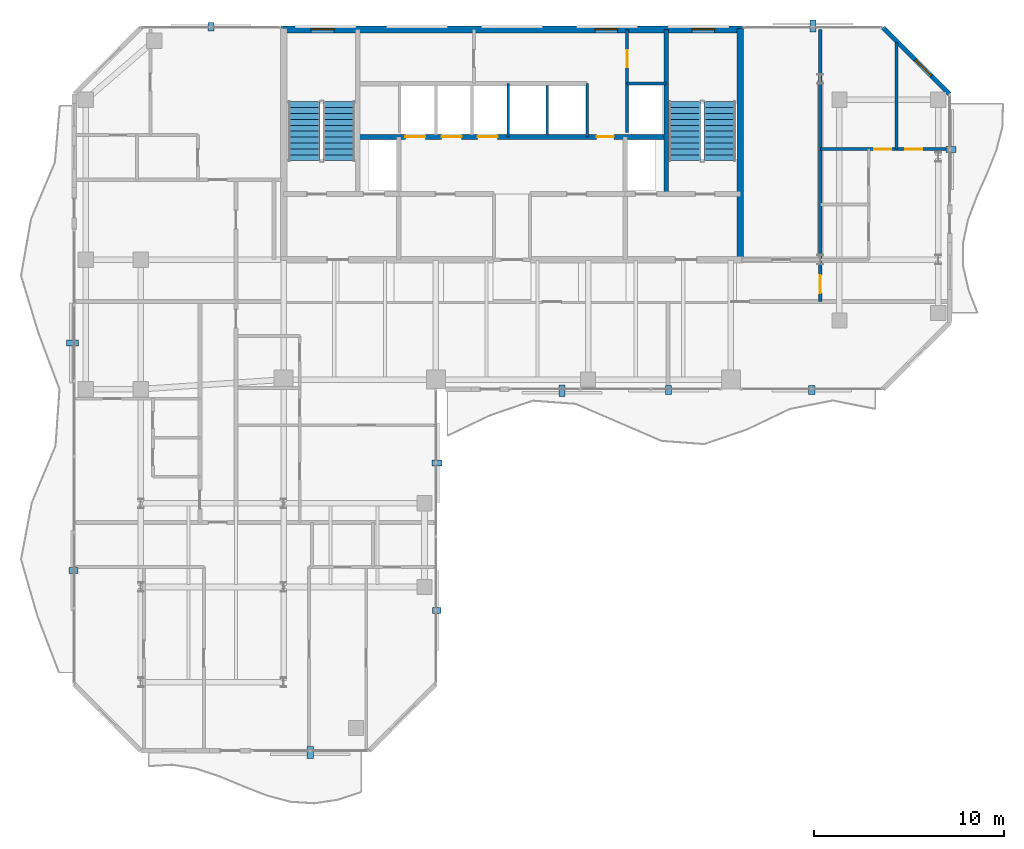
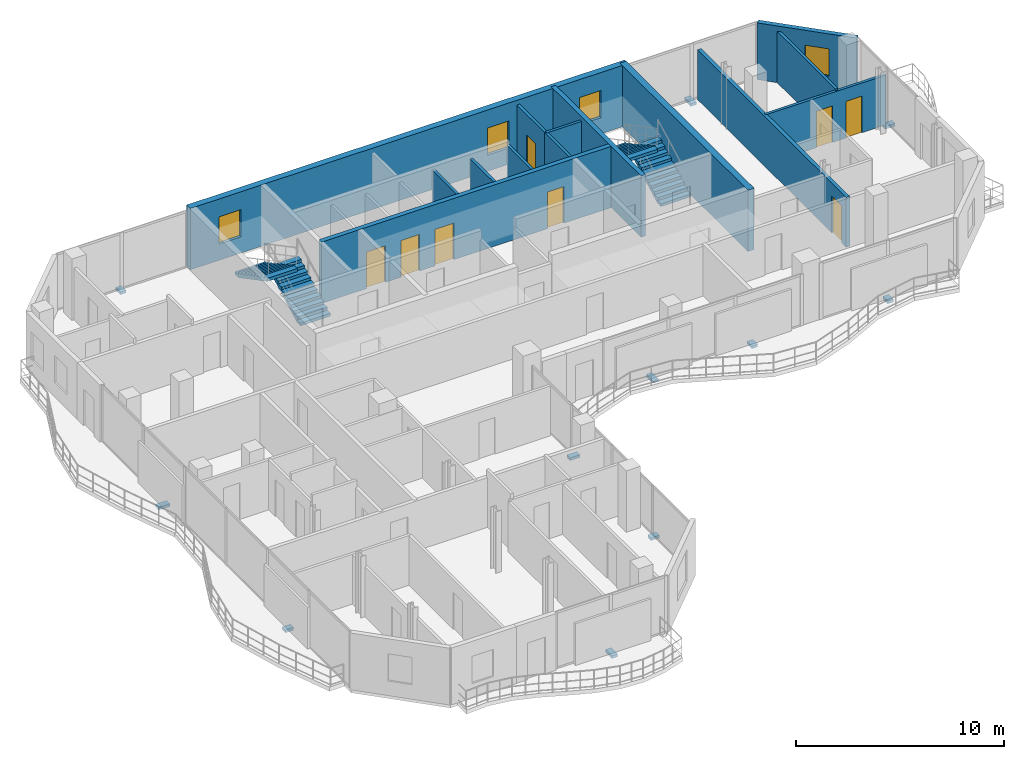
# One storey, part 20 of 23: 14 walls, 11 discrete accessories, 8 doors, 4 stair flights, 4 windows, 12 openings, 2 elements without a shape of their own.
"""IFC4 building model written with IfcOpenShell, lengths in metres."""

from ifc_helpers import new_model, si_unit, direction, frame, frame_2d, origin, origin_2d, place, context, subcontext, project, spatial, polyline, rectangle, outline, extrude, material, layer, layer_set, type_object, element, fill, aggregate, save


model = new_model("IFC4")

# Units and contexts
model_context = context("Model", 3, precision=1e-05, world=origin(), true_north=direction((0.0, 1.0)))
body_context = subcontext(model_context, "Body", "Model", "MODEL_VIEW")
ifc_project = project(units=[si_unit("LENGTHUNIT", "METRE"), si_unit("AREAUNIT", "SQUARE_METRE"), si_unit("VOLUMEUNIT", "CUBIC_METRE"), si_unit("PLANEANGLEUNIT", "RADIAN"), si_unit("MASSUNIT", "GRAM", prefix="KILO")], contexts=[model_context])

# Site, building, storey
site_placement = place(None, origin())
site = spatial("IfcSite", under=ifc_project, at=site_placement, CompositionType="ELEMENT")
building_placement = place(site_placement, origin())
building = spatial("IfcBuilding", under=site, at=building_placement, Name="Catumbela Crestline Tower", CompositionType="ELEMENT")
storey_placement = place(building_placement, frame((0.0, 0.0, 168.6)))
storey = spatial("IfcBuildingStorey", under=building, at=storey_placement, Name="L43", CompositionType="ELEMENT", Elevation=168.6)

# Wall
ifc_material_1 = material(Name="Concrete C50/60", Category="concrete")
ifc_layer_1 = layer(ifc_material_1, 0.25, Name="Concrete C50/60")
ifc_layer_set_1 = layer_set([ifc_layer_1], Name="Concrete C50/60")
wall_type_1 = type_object("IfcWallType", Name="CW-250D", PredefinedType="SHEAR", material=ifc_layer_set_1)
wall_1_placement = place(storey_placement, frame((36.1, 34.25, 0.0), z_axis=(0.0, 0.0, 1.0), x_axis=(0.0, 1.0, 0.0)))
element("IfcWall", 1, at=wall_1_placement, inside=storey, type_object=wall_type_1, Name="L43 Structural Core Shear Wall EWEB", PredefinedType="SHEAR", context=body_context, shape_type="SweptSolid", body=[
    extrude(rectangle(XDim=8.65, YDim=0.25, at=frame_2d((4.325, 0.0))), origin(), (0.0, 0.0, 1.0), 3.6),
])

# Wall, openings, doors
wall_2_placement = place(storey_placement, frame((19.9, 37.25, 0.0), z_axis=(0.0, 0.0, 1.0), x_axis=(1.0, 0.0, 0.0)))
wall_2 = element("IfcWall", 2, at=wall_2_placement, inside=storey, type_object=wall_type_1, Name="L43 Structural Core Shear Wall LIFTN", PredefinedType="SHEAR", context=body_context, shape_type="SweptSolid", body=[
    extrude(rectangle(XDim=16.2, YDim=0.25, at=frame_2d((8.1, 0.0))), origin(), (0.0, 0.0, 1.0), 3.6),
])
opening_1_placement = place(wall_2_placement, frame((12.55, 0.0, 0.0)))
opening_1 = element("IfcOpeningElement", 3, at=opening_1_placement, cuts=wall_2, Name="Opening DF9-090", PredefinedType="OPENING", context=body_context, shape_type="SweptSolid", body=[
    extrude(rectangle(XDim=0.9, YDim=2.15, at=frame_2d((0.45, 1.075))), frame((0.0, 0.135, 0.0), z_axis=(0.0, -1.0, 0.0), x_axis=(1.0, 0.0, 0.0)), (0.0, 0.0, 1.0), 0.27),
])
opening_2_placement = place(wall_2_placement, frame((2.5, 0.0, 0.0)))
opening_2 = element("IfcOpeningElement", 4, at=opening_2_placement, cuts=wall_2, Name="Opening LD-105", PredefinedType="OPENING", context=body_context, shape_type="SweptSolid", body=[
    extrude(rectangle(XDim=1.05, YDim=2.15, at=frame_2d((0.525, 1.075))), frame((0.0, 0.135, 0.0), z_axis=(0.0, -1.0, 0.0), x_axis=(1.0, 0.0, 0.0)), (0.0, 0.0, 1.0), 0.27),
])
opening_3_placement = place(wall_2_placement, frame((4.4, 0.0, 0.0)))
opening_3 = element("IfcOpeningElement", 5, at=opening_3_placement, cuts=wall_2, Name="Opening LD-105", PredefinedType="OPENING", context=body_context, shape_type="SweptSolid", body=[
    extrude(rectangle(XDim=1.05, YDim=2.15, at=frame_2d((0.525, 1.075))), frame((0.0, 0.135, 0.0), z_axis=(0.0, -1.0, 0.0), x_axis=(1.0, 0.0, 0.0)), (0.0, 0.0, 1.0), 0.27),
])
opening_4_placement = place(wall_2_placement, frame((6.3, 0.0, 0.0)))
opening_4 = element("IfcOpeningElement", 6, at=opening_4_placement, cuts=wall_2, Name="Opening LD-105", PredefinedType="OPENING", context=body_context, shape_type="SweptSolid", body=[
    extrude(rectangle(XDim=1.05, YDim=2.15, at=frame_2d((0.525, 1.075))), frame((0.0, 0.135, 0.0), z_axis=(0.0, -1.0, 0.0), x_axis=(1.0, 0.0, 0.0)), (0.0, 0.0, 1.0), 0.27),
])
ifc_material_2 = material(Name="Stainless steel EN 1.4401", Category="steel")
door_type_1 = type_object("IfcDoorType", Name="DF9-090", OperationType="NOTDEFINED", PredefinedType="DOOR", material=ifc_material_2)
door_1_placement = place(opening_1_placement, origin())
door_1 = element("IfcDoor", 7, at=door_1_placement, inside=storey, type_object=door_type_1, Name="L43 Interior Door DR-L43-CPAS1", OperationType="SINGLE_SWING_LEFT", OverallHeight=2.15, OverallWidth=0.9, PredefinedType="DOOR", context=body_context, shape_type="SweptSolid", body=[
    extrude(rectangle(XDim=0.9, YDim=2.15, at=frame_2d((0.45, 1.075))), frame((0.0, 0.025, 0.0), z_axis=(0.0, -1.0, 0.0), x_axis=(1.0, 0.0, 0.0)), (0.0, 0.0, 1.0), 0.05),
])
fill(opening_1, door_1)
door_type_2 = type_object("IfcDoorType", Name="LD-105", OperationType="NOTDEFINED", PredefinedType="DOOR", material=ifc_material_2)
door_2_placement = place(opening_2_placement, origin())
door_2 = element("IfcDoor", 8, at=door_2_placement, inside=storey, type_object=door_type_2, Name="L43 Lift Landing Sliding Door PL-H1", OperationType="DOUBLE_DOOR_SLIDING", OverallHeight=2.15, OverallWidth=1.05, PredefinedType="DOOR", context=body_context, shape_type="SweptSolid", body=[
    extrude(rectangle(XDim=1.05, YDim=2.15, at=frame_2d((0.525, 1.075))), frame((0.0, 0.025, 0.0), z_axis=(0.0, -1.0, 0.0), x_axis=(1.0, 0.0, 0.0)), (0.0, 0.0, 1.0), 0.05),
])
fill(opening_2, door_2)
door_3_placement = place(opening_3_placement, origin())
door_3 = element("IfcDoor", 9, at=door_3_placement, inside=storey, type_object=door_type_2, Name="L43 Lift Landing Sliding Door PL-H2", OperationType="DOUBLE_DOOR_SLIDING", OverallHeight=2.15, OverallWidth=1.05, PredefinedType="DOOR", context=body_context, shape_type="SweptSolid", body=[
    extrude(rectangle(XDim=1.05, YDim=2.15, at=frame_2d((0.525, 1.075))), frame((0.0, 0.025, 0.0), z_axis=(0.0, -1.0, 0.0), x_axis=(1.0, 0.0, 0.0)), (0.0, 0.0, 1.0), 0.05),
])
fill(opening_3, door_3)
door_4_placement = place(opening_4_placement, origin())
door_4 = element("IfcDoor", 10, at=door_4_placement, inside=storey, type_object=door_type_2, Name="L43 Lift Landing Sliding Door PL-H3", OperationType="DOUBLE_DOOR_SLIDING", OverallHeight=2.15, OverallWidth=1.05, PredefinedType="DOOR", context=body_context, shape_type="SweptSolid", body=[
    extrude(rectangle(XDim=1.05, YDim=2.15, at=frame_2d((0.525, 1.075))), frame((0.0, 0.025, 0.0), z_axis=(0.0, -1.0, 0.0), x_axis=(1.0, 0.0, 0.0)), (0.0, 0.0, 1.0), 0.05),
])
fill(opening_4, door_4)

# Wall
ifc_layer_2 = layer(ifc_material_1, 0.35, Name="Concrete C50/60")
ifc_layer_set_2 = layer_set([ifc_layer_2], Name="Concrete C50/60")
wall_type_2 = type_object("IfcWallType", Name="CW-350B", PredefinedType="SHEAR", material=ifc_layer_set_2)
wall_3_placement = place(storey_placement, frame((40.0, 30.65, 0.0), z_axis=(0.0, 0.0, 1.0), x_axis=(0.0, 1.0, 0.0)))
element("IfcWall", 11, at=wall_3_placement, inside=storey, type_object=wall_type_2, Name="L43 Structural Core Shear Wall E", PredefinedType="SHEAR", context=body_context, shape_type="SweptSolid", body=[
    extrude(rectangle(XDim=12.3, YDim=0.35, at=frame_2d((6.15, 0.0))), origin(), (0.0, 0.0, 1.0), 3.6),
])

# Wall, openings, windows
ifc_layer_3 = layer(ifc_material_1, 0.35, Name="Concrete C50/60")
ifc_layer_set_3 = layer_set([ifc_layer_3], Name="Concrete C50/60")
wall_type_3 = type_object("IfcWallType", Name="CW-350E", PredefinedType="SHEAR", material=ifc_layer_set_3)
wall_4_placement = place(storey_placement, frame((15.85, 42.9, 0.0), z_axis=(0.0, 0.0, 1.0), x_axis=(1.0, 0.0, 0.0)))
wall_4 = element("IfcWall", 12, at=wall_4_placement, inside=storey, type_object=wall_type_3, Name="L43 Structural Core Shear Wall N", PredefinedType="SHEAR", context=body_context, shape_type="SweptSolid", body=[
    extrude(rectangle(XDim=24.3, YDim=0.35, at=frame_2d((12.15, 0.0))), origin(), (0.0, 0.0, 1.0), 3.6),
])
opening_5_placement = place(wall_4_placement, frame((1.6, 0.0, 0.95)))
opening_5 = element("IfcOpeningElement", 13, at=opening_5_placement, cuts=wall_4, Name="Opening WN-02", PredefinedType="OPENING", context=body_context, shape_type="SweptSolid", body=[
    extrude(rectangle(XDim=1.2, YDim=1.6, at=frame_2d((0.6, 0.8))), frame((0.0, 0.185, 0.0), z_axis=(0.0, -1.0, 0.0), x_axis=(1.0, 0.0, 0.0)), (0.0, 0.0, 1.0), 0.37),
])
opening_6_placement = place(wall_4_placement, frame((16.5, 0.0, 0.95)))
opening_6 = element("IfcOpeningElement", 14, at=opening_6_placement, cuts=wall_4, Name="Opening WN-02", PredefinedType="OPENING", context=body_context, shape_type="SweptSolid", body=[
    extrude(rectangle(XDim=1.2, YDim=1.6, at=frame_2d((0.6, 0.8))), frame((0.0, 0.185, 0.0), z_axis=(0.0, -1.0, 0.0), x_axis=(1.0, 0.0, 0.0)), (0.0, 0.0, 1.0), 0.37),
])
opening_7_placement = place(wall_4_placement, frame((21.6, 0.0, 0.95)))
opening_7 = element("IfcOpeningElement", 15, at=opening_7_placement, cuts=wall_4, Name="Opening WN-02", PredefinedType="OPENING", context=body_context, shape_type="SweptSolid", body=[
    extrude(rectangle(XDim=1.2, YDim=1.6, at=frame_2d((0.6, 0.8))), frame((0.0, 0.185, 0.0), z_axis=(0.0, -1.0, 0.0), x_axis=(1.0, 0.0, 0.0)), (0.0, 0.0, 1.0), 0.37),
])
ifc_material_3 = material(Name="Low-E laminated solar-control double glazing", Category="glass")
window_type = type_object("IfcWindowType", Name="WO-1200", PartitioningType="SINGLE_PANEL", PredefinedType="WINDOW", material=ifc_material_3)
window_1_placement = place(opening_5_placement, origin())
window_1 = element("IfcWindow", 16, at=window_1_placement, inside=storey, type_object=window_type, Name="L43 North Core Daylight Vision Window 253", OverallHeight=1.6, OverallWidth=1.2, PartitioningType="SINGLE_PANEL", PredefinedType="WINDOW", context=body_context, shape_type="SweptSolid", body=[
    extrude(rectangle(XDim=1.2, YDim=1.6, at=frame_2d((0.6, 0.8))), frame((0.0, 0.03, 0.0), z_axis=(0.0, -1.0, 0.0), x_axis=(1.0, 0.0, 0.0)), (0.0, 0.0, 1.0), 0.06),
])
fill(opening_5, window_1)
window_2_placement = place(opening_6_placement, origin())
window_2 = element("IfcWindow", 17, at=window_2_placement, inside=storey, type_object=window_type, Name="L43 North Core Daylight Vision Window 254", OverallHeight=1.6, OverallWidth=1.2, PartitioningType="SINGLE_PANEL", PredefinedType="WINDOW", context=body_context, shape_type="SweptSolid", body=[
    extrude(rectangle(XDim=1.2, YDim=1.6, at=frame_2d((0.6, 0.8))), frame((0.0, 0.03, 0.0), z_axis=(0.0, -1.0, 0.0), x_axis=(1.0, 0.0, 0.0)), (0.0, 0.0, 1.0), 0.06),
])
fill(opening_6, window_2)
window_3_placement = place(opening_7_placement, origin())
window_3 = element("IfcWindow", 18, at=window_3_placement, inside=storey, type_object=window_type, Name="L43 North Core Daylight Vision Window 255", OverallHeight=1.6, OverallWidth=1.2, PartitioningType="SINGLE_PANEL", PredefinedType="WINDOW", context=body_context, shape_type="SweptSolid", body=[
    extrude(rectangle(XDim=1.2, YDim=1.6, at=frame_2d((0.6, 0.8))), frame((0.0, 0.03, 0.0), z_axis=(0.0, -1.0, 0.0), x_axis=(1.0, 0.0, 0.0)), (0.0, 0.0, 1.0), 0.06),
])
fill(opening_7, window_3)

# Wall, opening, door
ifc_material_4 = material(Name="Acoustic gypsum and mineral-wool partition")
ifc_layer_4 = layer(ifc_material_4, 0.2, Name="Acoustic gypsum and mineral-wool partition")
ifc_layer_set_4 = layer_set([ifc_layer_4], Name="Acoustic gypsum and mineral-wool partition")
wall_type_4 = type_object("IfcWallType", Name="WC-200", PredefinedType="PARTITIONING", material=ifc_layer_set_4)
wall_5_placement = place(storey_placement, frame((44.2, 28.6, 0.0), z_axis=(0.0, 0.0, 1.0), x_axis=(0.0, 1.0, 0.0)))
wall_5 = element("IfcWall", 19, at=wall_5_placement, inside=storey, type_object=wall_type_4, Name="L43 Interior Partition PW-L43-NE1-ENT", PredefinedType="PARTITIONING", context=body_context, shape_type="SweptSolid", body=[
    extrude(rectangle(XDim=14.3, YDim=0.2, at=frame_2d((7.15, 0.0))), origin(), (0.0, 0.0, 1.0), 2.92),
])
opening_8_placement = place(wall_5_placement, frame((0.445, 0.0, 0.0)))
opening_8 = element("IfcOpeningElement", 20, at=opening_8_placement, cuts=wall_5, Name="Opening DF6-095", PredefinedType="OPENING", context=body_context, shape_type="SweptSolid", body=[
    extrude(rectangle(XDim=0.95, YDim=2.15, at=frame_2d((0.475, 1.075))), frame((0.0, 0.11, 0.0), z_axis=(0.0, -1.0, 0.0), x_axis=(1.0, 0.0, 0.0)), (0.0, 0.0, 1.0), 0.22),
])
ifc_material_5 = material(Name="Aluminium alloy AW-6060-T66", Category="aluminium")
door_type_3 = type_object("IfcDoorType", Name="DF6-095", OperationType="NOTDEFINED", PredefinedType="DOOR", material=ifc_material_5)
door_5_placement = place(opening_8_placement, origin())
door_5 = element("IfcDoor", 21, at=door_5_placement, inside=storey, type_object=door_type_3, Name="L43 Interior Door DR-L43-NE1-ENT", OperationType="SINGLE_SWING_LEFT", OverallHeight=2.15, OverallWidth=0.95, PredefinedType="DOOR", context=body_context, shape_type="SweptSolid", body=[
    extrude(rectangle(XDim=0.95, YDim=2.15, at=frame_2d((0.475, 1.075))), frame((0.0, 0.025, 0.0), z_axis=(0.0, -1.0, 0.0), x_axis=(1.0, 0.0, 0.0)), (0.0, 0.0, 1.0), 0.05),
])
fill(opening_8, door_5)

# Wall, opening, window
ifc_material_6 = material(Name="Angolan grey-ochre granite", Category="masonry")
ifc_layer_5 = layer(ifc_material_6, 0.25, Name="Angolan grey-ochre granite")
ifc_layer_set_5 = layer_set([ifc_layer_5], Name="Angolan grey-ochre granite")
wall_type_5 = type_object("IfcWallType", Name="WE-250", PredefinedType="STANDARD", material=ifc_layer_set_5)
wall_6_placement = place(storey_placement, frame((51.0, 39.5, 0.0), z_axis=(0.0, 0.0, 1.0), x_axis=(-0.707106781187, 0.707106781187, 0.0)))
wall_6 = element("IfcWall", 22, at=wall_6_placement, inside=storey, type_object=wall_type_5, Name="L43 Granite Punched Window Wall 6-1", PredefinedType="STANDARD", context=body_context, shape_type="SweptSolid", body=[
    extrude(rectangle(XDim=4.9497, YDim=0.25, at=frame_2d((2.4748, 0.0))), origin(), (0.0, 0.0, 1.0), 3.33),
])
opening_9_placement = place(wall_6_placement, frame((1.3574, 0.0, 0.85)))
opening_9 = element("IfcOpeningElement", 23, at=opening_9_placement, cuts=wall_6, Name="Opening WN-02", PredefinedType="OPENING", context=body_context, shape_type="SweptSolid", body=[
    extrude(rectangle(XDim=1.2, YDim=1.6, at=frame_2d((0.6, 0.8))), frame((0.0, 0.135, 0.0), z_axis=(0.0, -1.0, 0.0), x_axis=(1.0, 0.0, 0.0)), (0.0, 0.0, 1.0), 0.27),
])
window_4_placement = place(opening_9_placement, origin())
window_4 = element("IfcWindow", 24, at=window_4_placement, inside=storey, type_object=window_type, Name="L43 Facade Vision Window 260", OverallHeight=1.6, OverallWidth=1.2, PartitioningType="SINGLE_PANEL", PredefinedType="WINDOW", context=body_context, shape_type="SweptSolid", body=[
    extrude(rectangle(XDim=1.2, YDim=1.6, at=frame_2d((0.6, 0.8))), frame((0.0, 0.03, 0.0), z_axis=(0.0, -1.0, 0.0), x_axis=(1.0, 0.0, 0.0)), (0.0, 0.0, 1.0), 0.06),
])
fill(opening_9, window_4)

# Wall
ifc_layer_6 = layer(ifc_material_4, 0.15, Name="Acoustic gypsum and mineral-wool partition")
ifc_layer_set_6 = layer_set([ifc_layer_6], Name="Acoustic gypsum and mineral-wool partition")
wall_type_6 = type_object("IfcWallType", Name="WP-150", PredefinedType="PARTITIONING", material=ifc_layer_set_6)
wall_7_placement = place(storey_placement, frame((34.05, 40.05, 0.0), z_axis=(0.0, 0.0, 1.0), x_axis=(1.0, 0.0, 0.0)))
element("IfcWall", 25, at=wall_7_placement, inside=storey, type_object=wall_type_6, Name="L43 Interior Partition PW-L43-CR-ES", PredefinedType="PARTITIONING", context=body_context, shape_type="SweptSolid", body=[
    extrude(rectangle(XDim=2.05, YDim=0.15, at=frame_2d((1.025, 0.0))), origin(), (0.0, 0.0, 1.0), 3.33),
])

# Wall, opening, door
wall_8_placement = place(storey_placement, frame((34.05, 40.05, 0.0), z_axis=(0.0, 0.0, 1.0), x_axis=(0.0, 1.0, 0.0)))
wall_8 = element("IfcWall", 26, at=wall_8_placement, inside=storey, type_object=wall_type_6, Name="L43 Interior Partition PW-L43-CR-EW", PredefinedType="PARTITIONING", context=body_context, shape_type="SweptSolid", body=[
    extrude(rectangle(XDim=2.85, YDim=0.15, at=frame_2d((1.425, 0.0))), origin(), (0.0, 0.0, 1.0), 3.33),
])
opening_10_placement = place(wall_8_placement, frame((0.865, 0.0, 0.0)))
opening_10 = element("IfcOpeningElement", 27, at=opening_10_placement, cuts=wall_8, Name="Opening DF9-090", PredefinedType="OPENING", context=body_context, shape_type="SweptSolid", body=[
    extrude(rectangle(XDim=0.9, YDim=2.15, at=frame_2d((0.45, 1.075))), frame((0.0, 0.085, 0.0), z_axis=(0.0, -1.0, 0.0), x_axis=(1.0, 0.0, 0.0)), (0.0, 0.0, 1.0), 0.17),
])
door_6_placement = place(opening_10_placement, origin())
door_6 = element("IfcDoor", 28, at=door_6_placement, inside=storey, type_object=door_type_1, Name="L43 Interior Door DR-L43-CREAST", OperationType="SINGLE_SWING_RIGHT", OverallHeight=2.15, OverallWidth=0.9, PredefinedType="DOOR", context=body_context, shape_type="SweptSolid", body=[
    extrude(rectangle(XDim=0.9, YDim=2.15, at=frame_2d((0.45, 1.075))), frame((0.0, 0.025, 0.0), z_axis=(0.0, -1.0, 0.0), x_axis=(1.0, 0.0, 0.0)), (0.0, 0.0, 1.0), 0.05),
])
fill(opening_10, door_6)

# Wall, openings, doors
wall_9_placement = place(storey_placement, frame((44.2, 36.608, 0.0), z_axis=(0.0, 0.0, 1.0), x_axis=(1.0, 0.0, 0.0)))
wall_9 = element("IfcWall", 29, at=wall_9_placement, inside=storey, type_object=wall_type_6, Name="L43 Interior Partition PW-L43-NE1-KBN", PredefinedType="PARTITIONING", context=body_context, shape_type="SweptSolid", body=[
    extrude(rectangle(XDim=6.7, YDim=0.15, at=frame_2d((3.35, 0.0))), origin(), (0.0, 0.0, 1.0), 2.92),
])
opening_11_placement = place(wall_9_placement, frame((2.821, 0.0, 0.0)))
opening_11 = element("IfcOpeningElement", 30, at=opening_11_placement, cuts=wall_9, Name="Opening DI-090", PredefinedType="OPENING", context=body_context, shape_type="SweptSolid", body=[
    extrude(rectangle(XDim=0.9, YDim=2.15, at=frame_2d((0.45, 1.075))), frame((0.0, 0.085, 0.0), z_axis=(0.0, -1.0, 0.0), x_axis=(1.0, 0.0, 0.0)), (0.0, 0.0, 1.0), 0.17),
])
opening_12_placement = place(wall_9_placement, frame((4.4569, 0.0, 0.0)))
opening_12 = element("IfcOpeningElement", 31, at=opening_12_placement, cuts=wall_9, Name="Opening DI-090", PredefinedType="OPENING", context=body_context, shape_type="SweptSolid", body=[
    extrude(rectangle(XDim=0.9, YDim=2.15, at=frame_2d((0.45, 1.075))), frame((0.0, 0.085, 0.0), z_axis=(0.0, -1.0, 0.0), x_axis=(1.0, 0.0, 0.0)), (0.0, 0.0, 1.0), 0.17),
])
door_type_4 = type_object("IfcDoorType", Name="DI-090", OperationType="NOTDEFINED", PredefinedType="DOOR", material=ifc_material_5)
door_7_placement = place(opening_11_placement, origin())
door_7 = element("IfcDoor", 32, at=door_7_placement, inside=storey, type_object=door_type_4, Name="L43 Interior Door DR-L43-NE1-BD1", OperationType="SINGLE_SWING_LEFT", OverallHeight=2.15, OverallWidth=0.9, PredefinedType="DOOR", context=body_context, shape_type="SweptSolid", body=[
    extrude(rectangle(XDim=0.9, YDim=2.15, at=frame_2d((0.45, 1.075))), frame((0.0, 0.025, 0.0), z_axis=(0.0, -1.0, 0.0), x_axis=(1.0, 0.0, 0.0)), (0.0, 0.0, 1.0), 0.05),
])
fill(opening_11, door_7)
door_8_placement = place(opening_12_placement, origin())
door_8 = element("IfcDoor", 33, at=door_8_placement, inside=storey, type_object=door_type_4, Name="L43 Interior Door DR-L43-NE1-BD2", OperationType="SINGLE_SWING_RIGHT", OverallHeight=2.15, OverallWidth=0.9, PredefinedType="DOOR", context=body_context, shape_type="SweptSolid", body=[
    extrude(rectangle(XDim=0.9, YDim=2.15, at=frame_2d((0.45, 1.075))), frame((0.0, 0.025, 0.0), z_axis=(0.0, -1.0, 0.0), x_axis=(1.0, 0.0, 0.0)), (0.0, 0.0, 1.0), 0.05),
])
fill(opening_12, door_8)

# Walls
wall_10_placement = place(storey_placement, frame((48.196, 36.608, 0.0), z_axis=(0.0, 0.0, 1.0), x_axis=(0.0, 1.0, 0.0)))
element("IfcWall", 34, at=wall_10_placement, inside=storey, type_object=wall_type_6, Name="L43 Interior Partition PW-L43-NE1-BDP", PredefinedType="PARTITIONING", context=body_context, shape_type="SweptSolid", body=[
    extrude(rectangle(XDim=5.596, YDim=0.15, at=frame_2d((2.798, 0.0))), origin(), (0.0, 0.0, 1.0), 3.02),
])
ifc_layer_7 = layer(ifc_material_4, 0.15, Name="Acoustic gypsum and mineral-wool partition")
ifc_layer_set_7 = layer_set([ifc_layer_7], Name="Acoustic gypsum and mineral-wool partition")
wall_type_7 = type_object("IfcWallType", Name="WS-150", PredefinedType="PLUMBINGWALL", material=ifc_layer_set_7)
for number, where, z_axis, x_axis, name in (
    (35, (27.8, 37.25, 0.0), (0.0, 0.0, 1.0), (0.0, 1.0, 0.0), "L43 Interior Partition PW-L43-SHH3"),
    (36, (31.95, 37.25, 0.0), (0.0, 0.0, 1.0), (0.0, 1.0, 0.0), "L43 Interior Partition PW-L43-SHEX2E"),
):
    element("IfcWall", number, at=place(storey_placement, frame(where, z_axis=z_axis, x_axis=x_axis)), inside=storey, type_object=wall_type_7, Name=name, PredefinedType="PLUMBINGWALL", context=body_context, shape_type="SweptSolid", body=[
        extrude(rectangle(XDim=2.8, YDim=0.15, at=frame_2d((1.4, 0.0))), origin(), (0.0, 0.0, 1.0), 3.33),
    ])
wall_11_placement = place(storey_placement, frame((29.85, 37.35, 0.0), z_axis=(0.0, 0.0, 1.0), x_axis=(0.0, 1.0, 0.0)))
element("IfcWall", 37, at=wall_11_placement, inside=storey, type_object=wall_type_7, Name="L43 Interior Partition PW-L43-SHEX1", PredefinedType="PLUMBINGWALL", context=body_context, shape_type="SweptSolid", body=[
    extrude(rectangle(XDim=2.6, YDim=0.15, at=frame_2d((1.3, 0.0))), origin(), (0.0, 0.0, 1.0), 3.33),
])
wall_12_placement = place(storey_placement, frame((34.05, 37.4734, 0.0), z_axis=(0.0, 0.0, 1.0), x_axis=(0.0, 1.0, 0.0)))
element("IfcWall", 38, at=wall_12_placement, inside=storey, type_object=wall_type_7, Name="L43 Interior Partition PW-L43-RISW", PredefinedType="PLUMBINGWALL", context=body_context, shape_type="SweptSolid", body=[
    extrude(rectangle(XDim=2.5766, YDim=0.15, at=frame_2d((1.2883, 0.0))), origin(), (0.0, 0.0, 1.0), 3.33),
])

# Stair, stair flights
ifc_material_7 = material(Name="Concrete C45/55", Category="concrete")
stair_type = type_object("IfcStairType", Name="ST-DLG", PredefinedType="HALF_TURN_STAIR", material=ifc_material_7)
stair_1_placement = place(storey_placement, origin())
stair_1 = element("IfcStair", 39, at=stair_1_placement, inside=storey, type_object=stair_type, Name="L43 West Core Pressurised Exit Stair ST-01", PredefinedType="HALF_TURN_STAIR")
stair_flight_type = type_object("IfcStairFlightType", Name="SF-1636", PredefinedType="STRAIGHT", material=ifc_material_7)
stair_flight_1_placement = place(storey_placement, frame((18.92, 36.0, 0.0), z_axis=(0.0, 0.0, 1.0), x_axis=(0.0, 1.0, 0.0)))
stair_flight_1 = element("IfcStairFlight", 40, at=stair_flight_1_placement, type_object=stair_flight_type, Name="ST-01 flight 1", NumberOfRisers=11, NumberOfTreads=10, PredefinedType="STRAIGHT", RiserHeight=0.163636364, TreadLength=0.31, context=body_context, shape_type="SweptSolid", body=[
    extrude(outline(polyline([(0.0, 0.0), (0.0, 0.1636), (0.31, 0.1636), (0.31, 0.3273), (0.62, 0.3273), (0.62, 0.4909), (0.93, 0.4909), (0.93, 0.6545), (1.24, 0.6545), (1.24, 0.8182), (1.55, 0.8182), (1.55, 0.9818), (1.86, 0.9818), (1.86, 1.1455), (2.17, 1.1455), (2.17, 1.3091), (2.48, 1.3091), (2.48, 1.4727), (2.79, 1.4727), (2.79, 1.6364), (3.1, 1.6364), (3.1, 1.8), (3.1, 1.4554), (0.3427, 0.0), (0.0, 0.0)])), frame((0.0, 0.83, 0.0), z_axis=(0.0, -1.0, 0.0), x_axis=(1.0, 0.0, 0.0)), (0.0, 0.0, 1.0), 1.66),
])
stair_flight_2_placement = place(storey_placement, frame((17.08, 39.1, 1.8), z_axis=(0.0, 0.0, 1.0), x_axis=(0.0, -1.0, 0.0)))
stair_flight_2 = element("IfcStairFlight", 41, at=stair_flight_2_placement, type_object=stair_flight_type, Name="ST-01 flight 2", NumberOfRisers=11, NumberOfTreads=10, PredefinedType="STRAIGHT", RiserHeight=0.163636364, TreadLength=0.31, context=body_context, shape_type="SweptSolid", body=[
    extrude(outline(polyline([(0.0, 0.0), (0.0, 0.1636), (0.31, 0.1636), (0.31, 0.3273), (0.62, 0.3273), (0.62, 0.4909), (0.93, 0.4909), (0.93, 0.6545), (1.24, 0.6545), (1.24, 0.8182), (1.55, 0.8182), (1.55, 0.9818), (1.86, 0.9818), (1.86, 1.1455), (2.17, 1.1455), (2.17, 1.3091), (2.48, 1.3091), (2.48, 1.4727), (2.79, 1.4727), (2.79, 1.6364), (3.1, 1.6364), (3.1, 1.8), (3.1, 1.4554), (0.3427, 0.0), (0.0, 0.0)])), frame((0.0, 0.83, 0.0), z_axis=(0.0, -1.0, 0.0), x_axis=(1.0, 0.0, 0.0)), (0.0, 0.0, 1.0), 1.66),
])
aggregate(stair_1, [stair_flight_1, stair_flight_2])

stair_2_placement = place(storey_placement, origin())
stair_2 = element("IfcStair", 42, at=stair_2_placement, inside=storey, type_object=stair_type, Name="L43 East Core Pressurised Exit Stair ST-02", PredefinedType="HALF_TURN_STAIR")
stair_flight_3_placement = place(storey_placement, frame((38.92, 36.0, 0.0), z_axis=(0.0, 0.0, 1.0), x_axis=(0.0, 1.0, 0.0)))
stair_flight_3 = element("IfcStairFlight", 43, at=stair_flight_3_placement, type_object=stair_flight_type, Name="ST-02 flight 1", NumberOfRisers=11, NumberOfTreads=10, PredefinedType="STRAIGHT", RiserHeight=0.163636364, TreadLength=0.31, context=body_context, shape_type="SweptSolid", body=[
    extrude(outline(polyline([(0.0, 0.0), (0.0, 0.1636), (0.31, 0.1636), (0.31, 0.3273), (0.62, 0.3273), (0.62, 0.4909), (0.93, 0.4909), (0.93, 0.6545), (1.24, 0.6545), (1.24, 0.8182), (1.55, 0.8182), (1.55, 0.9818), (1.86, 0.9818), (1.86, 1.1455), (2.17, 1.1455), (2.17, 1.3091), (2.48, 1.3091), (2.48, 1.4727), (2.79, 1.4727), (2.79, 1.6364), (3.1, 1.6364), (3.1, 1.8), (3.1, 1.4554), (0.3427, 0.0), (0.0, 0.0)])), frame((0.0, 0.83, 0.0), z_axis=(0.0, -1.0, 0.0), x_axis=(1.0, 0.0, 0.0)), (0.0, 0.0, 1.0), 1.66),
])
stair_flight_4_placement = place(storey_placement, frame((37.08, 39.1, 1.8), z_axis=(0.0, 0.0, 1.0), x_axis=(0.0, -1.0, 0.0)))
stair_flight_4 = element("IfcStairFlight", 44, at=stair_flight_4_placement, type_object=stair_flight_type, Name="ST-02 flight 2", NumberOfRisers=11, NumberOfTreads=10, PredefinedType="STRAIGHT", RiserHeight=0.163636364, TreadLength=0.31, context=body_context, shape_type="SweptSolid", body=[
    extrude(outline(polyline([(0.0, 0.0), (0.0, 0.1636), (0.31, 0.1636), (0.31, 0.3273), (0.62, 0.3273), (0.62, 0.4909), (0.93, 0.4909), (0.93, 0.6545), (1.24, 0.6545), (1.24, 0.8182), (1.55, 0.8182), (1.55, 0.9818), (1.86, 0.9818), (1.86, 1.1455), (2.17, 1.1455), (2.17, 1.3091), (2.48, 1.3091), (2.48, 1.4727), (2.79, 1.4727), (2.79, 1.6364), (3.1, 1.6364), (3.1, 1.8), (3.1, 1.4554), (0.3427, 0.0), (0.0, 0.0)])), frame((0.0, 0.83, 0.0), z_axis=(0.0, -1.0, 0.0), x_axis=(1.0, 0.0, 0.0)), (0.0, 0.0, 1.0), 1.66),
])
aggregate(stair_2, [stair_flight_3, stair_flight_4])

# Discrete accessories
discrete_accessory_type = type_object("IfcDiscreteAccessoryType", Name="BK-SS1", PredefinedType="BRACKET", material=ifc_material_2)
discrete_accessory_1_placement = place(storey_placement, frame((17.4, 4.915, -0.18), z_axis=(0.0, 0.0, 1.0), x_axis=(1.0, 0.0, 0.0)))
element("IfcDiscreteAccessory", 45, at=discrete_accessory_1_placement, inside=storey, type_object=discrete_accessory_type, Name="L43 Solar Screen Stainless Bracket 480", PredefinedType="BRACKET", context=body_context, shape_type="SweptSolid", body=[
    extrude(rectangle(XDim=0.32, YDim=0.62, at=origin_2d()), origin(), (0.0, 0.0, 1.0), 0.16),
])
discrete_accessory_2_placement = place(storey_placement, frame((24.045, 12.375, -0.18), z_axis=(0.0, 0.0, 1.0), x_axis=(0.0, 1.0, 0.0)))
element("IfcDiscreteAccessory", 46, at=discrete_accessory_2_placement, inside=storey, type_object=discrete_accessory_type, Name="L43 Solar Screen Stainless Bracket 481", PredefinedType="BRACKET", context=body_context, shape_type="SweptSolid", body=[
    extrude(rectangle(XDim=0.32, YDim=0.46, at=origin_2d()), origin(), (0.0, 0.0, 1.0), 0.16),
])
discrete_accessory_3_placement = place(storey_placement, frame((24.065, 20.125, -0.18), z_axis=(0.0, 0.0, 1.0), x_axis=(0.0, 1.0, 0.0)))
element("IfcDiscreteAccessory", 47, at=discrete_accessory_3_placement, inside=storey, type_object=discrete_accessory_type, Name="L43 Solar Screen Stainless Bracket 482", PredefinedType="BRACKET", context=body_context, shape_type="SweptSolid", body=[
    extrude(rectangle(XDim=0.32, YDim=0.54, at=origin_2d()), origin(), (0.0, 0.0, 1.0), 0.16),
])
discrete_accessory_4_placement = place(storey_placement, frame((30.6375, 23.915, -0.18), z_axis=(0.0, 0.0, 1.0), x_axis=(1.0, 0.0, 0.0)))
element("IfcDiscreteAccessory", 48, at=discrete_accessory_4_placement, inside=storey, type_object=discrete_accessory_type, Name="L43 Solar Screen Stainless Bracket 483", PredefinedType="BRACKET", context=body_context, shape_type="SweptSolid", body=[
    extrude(rectangle(XDim=0.32, YDim=0.62, at=origin_2d()), origin(), (0.0, 0.0, 1.0), 0.16),
])
for number, where, z_axis, x_axis, name in (
    (49, (36.2125, 23.955, -0.18), (0.0, 0.0, 1.0), (1.0, 0.0, 0.0), "L43 Solar Screen Stainless Bracket 484"),
    (50, (43.75, 23.955, -0.18), (0.0, 0.0, 1.0), (1.0, 0.0, 0.0), "L43 Solar Screen Stainless Bracket 485"),
):
    element("IfcDiscreteAccessory", number, at=place(storey_placement, frame(where, z_axis=z_axis, x_axis=x_axis)), inside=storey, type_object=discrete_accessory_type, Name=name, PredefinedType="BRACKET", context=body_context, shape_type="SweptSolid", body=[
        extrude(rectangle(XDim=0.32, YDim=0.46, at=origin_2d()), origin(), (0.0, 0.0, 1.0), 0.16),
    ])
discrete_accessory_5_placement = place(storey_placement, frame((51.065, 36.6, -0.18), z_axis=(0.0, 0.0, 1.0), x_axis=(0.0, 1.0, 0.0)))
element("IfcDiscreteAccessory", 51, at=discrete_accessory_5_placement, inside=storey, type_object=discrete_accessory_type, Name="L43 Solar Screen Stainless Bracket 486", PredefinedType="BRACKET", context=body_context, shape_type="SweptSolid", body=[
    extrude(rectangle(XDim=0.32, YDim=0.54, at=origin_2d()), origin(), (0.0, 0.0, 1.0), 0.16),
])
discrete_accessory_6_placement = place(storey_placement, frame((43.82, 43.085, -0.18), z_axis=(0.0, 0.0, 1.0), x_axis=(-1.0, 0.0, 0.0)))
element("IfcDiscreteAccessory", 52, at=discrete_accessory_6_placement, inside=storey, type_object=discrete_accessory_type, Name="L43 Solar Screen Stainless Bracket 487", PredefinedType="BRACKET", context=body_context, shape_type="SweptSolid", body=[
    extrude(rectangle(XDim=0.32, YDim=0.62, at=origin_2d()), origin(), (0.0, 0.0, 1.0), 0.16),
])
discrete_accessory_7_placement = place(storey_placement, frame((12.18, 43.045, -0.18), z_axis=(0.0, 0.0, 1.0), x_axis=(-1.0, 0.0, 0.0)))
element("IfcDiscreteAccessory", 53, at=discrete_accessory_7_placement, inside=storey, type_object=discrete_accessory_type, Name="L43 Solar Screen Stainless Bracket 488", PredefinedType="BRACKET", context=body_context, shape_type="SweptSolid", body=[
    extrude(rectangle(XDim=0.32, YDim=0.46, at=origin_2d()), origin(), (0.0, 0.0, 1.0), 0.16),
])
discrete_accessory_8_placement = place(storey_placement, frame((4.915, 26.425, -0.18), z_axis=(0.0, 0.0, 1.0), x_axis=(0.0, -1.0, 0.0)))
element("IfcDiscreteAccessory", 54, at=discrete_accessory_8_placement, inside=storey, type_object=discrete_accessory_type, Name="L43 Solar Screen Stainless Bracket 489", PredefinedType="BRACKET", context=body_context, shape_type="SweptSolid", body=[
    extrude(rectangle(XDim=0.32, YDim=0.62, at=origin_2d()), origin(), (0.0, 0.0, 1.0), 0.16),
])
discrete_accessory_9_placement = place(storey_placement, frame((4.955, 14.475, -0.18), z_axis=(0.0, 0.0, 1.0), x_axis=(0.0, -1.0, 0.0)))
element("IfcDiscreteAccessory", 55, at=discrete_accessory_9_placement, inside=storey, type_object=discrete_accessory_type, Name="L43 Solar Screen Stainless Bracket 490", PredefinedType="BRACKET", context=body_context, shape_type="SweptSolid", body=[
    extrude(rectangle(XDim=0.32, YDim=0.46, at=origin_2d()), origin(), (0.0, 0.0, 1.0), 0.16),
])

save(model, "model.ifc")
